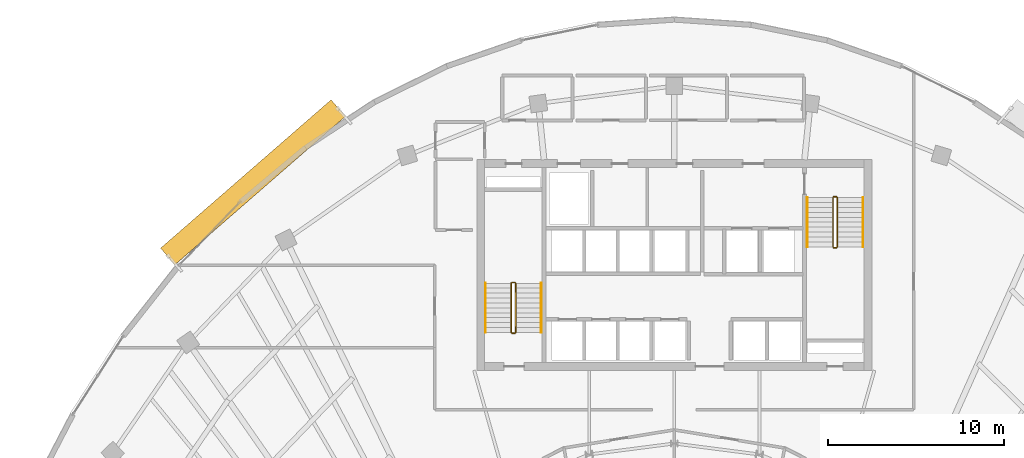
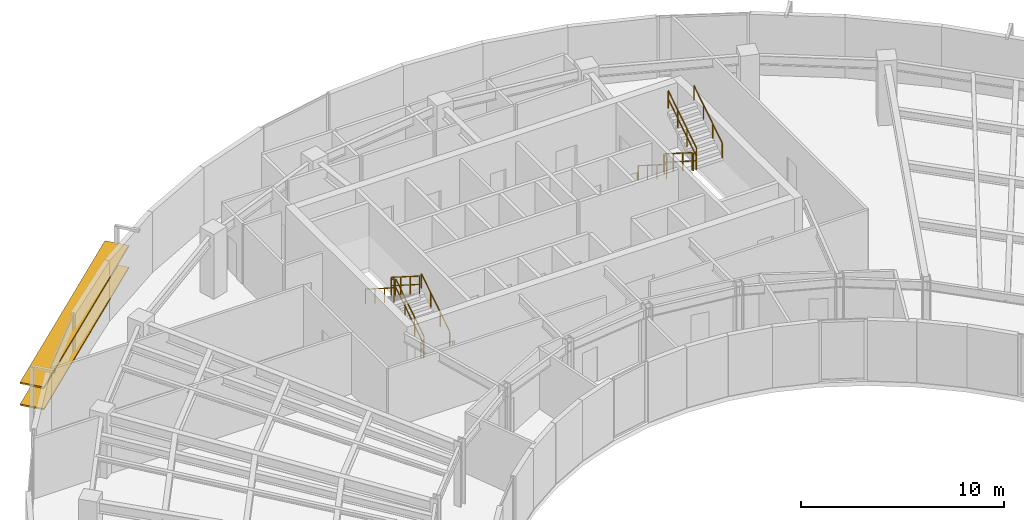
# One storey, part 12 of 13: 12 railings, 2 shading devices.
"""IFC4 building model written with IfcOpenShell, lengths in metres."""

from ifc_helpers import new_model, si_unit, direction, frame, origin, origin_2d, place, context, subcontext, project, spatial, rectangle, extrude, source, transform, mapped, material, material_profile, profile_set, type_object, element, save


model = new_model("IFC4")

# Units and contexts
model_context = context("Model", 3, precision=1e-05, world=origin(), true_north=direction((0.0, 1.0)))
body_context = subcontext(model_context, "Body", "Model", "MODEL_VIEW")
ifc_project = project(units=[si_unit("LENGTHUNIT", "METRE"), si_unit("AREAUNIT", "SQUARE_METRE"), si_unit("VOLUMEUNIT", "CUBIC_METRE"), si_unit("PLANEANGLEUNIT", "RADIAN"), si_unit("MASSUNIT", "GRAM", prefix="KILO")], contexts=[model_context])

# Site, building, storey
site_placement = place(None, origin())
site = spatial("IfcSite", under=ifc_project, at=site_placement, CompositionType="ELEMENT")
building_placement = place(site_placement, origin())
building = spatial("IfcBuilding", under=site, at=building_placement, Name="Breltana Convention Tower", CompositionType="ELEMENT")
storey_placement = place(building_placement, frame((0.0, 0.0, 204.0)))
storey = spatial("IfcBuildingStorey", under=building, at=storey_placement, Name="L49", CompositionType="ELEMENT", Elevation=204.0)

# Railings
ifc_material_1 = material(Name="Steel S275 Painted", Category="steel")
railing_type_1 = type_object("IfcRailingType", Name="RL-STAIR-GUARD-1100", PredefinedType="GUARDRAIL", material=ifc_material_1)
railing_1_placement = place(storey_placement, frame((38.9599609375, 62.360107421875, 0.17724609375)))
element("IfcRailing", 1, at=railing_1_placement, inside=storey, type_object=railing_type_1, Name="L49 ST-1 stair guard 1", PredefinedType="GUARDRAIL", context=body_context, shape_type="SweptSolid", body=[
    extrude(rectangle(XDim=0.048095703125, YDim=0.048095703125, at=origin_2d()), frame((0.0, 0.0, 1.076171875), z_axis=(0.0, 0.844887892834, 0.53494340686), x_axis=(-1.0, 0.0, 0.0)), (0.0, 0.0, 1.0), 3.313720703125),
    extrude(rectangle(XDim=0.048095703125, YDim=0.048095703125, at=origin_2d()), frame((0.0, 0.0, 0.572021484375), z_axis=(0.0, 0.844887892834, 0.53494340686), x_axis=(-1.0, 0.0, 0.0)), (0.0, 0.0, 1.0), 3.313720703125),
    extrude(rectangle(XDim=0.0419921875, YDim=0.0419921875, at=origin_2d()), origin(), (0.0, 0.0, 1.0), 1.052001953125),
    extrude(rectangle(XDim=0.0419921875, YDim=0.0419921875, at=origin_2d()), frame((0.0, 0.933349609375, 0.5908203125)), (0.0, 0.0, 1.0), 1.052001953125),
    extrude(rectangle(XDim=0.0419921875, YDim=0.0419921875, at=origin_2d()), frame((0.0, 1.866455078125, 1.181884765625)), (0.0, 0.0, 1.0), 1.052001953125),
    extrude(rectangle(XDim=0.0419921875, YDim=0.0419921875, at=origin_2d()), frame((0.0, 2.7998046875, 1.772705078125)), (0.0, 0.0, 1.0), 1.052001953125),
])
railing_2_placement = place(storey_placement, frame((38.909912109375, 65.2099609375, 1.949951171875)))
element("IfcRailing", 2, at=railing_2_placement, inside=storey, type_object=railing_type_1, Name="L49 ST-1 stair guard 2", PredefinedType="GUARDRAIL", context=body_context, shape_type="SweptSolid", body=[
    extrude(rectangle(XDim=0.048095703125, YDim=0.048095703125, at=origin_2d()), frame((0.0, 0.0, 1.076171875), z_axis=(-1.0, 0.0, 0.0), x_axis=(0.0, -1.0, 0.0)), (0.0, 0.0, 1.0), 0.14990234375),
    extrude(rectangle(XDim=0.048095703125, YDim=0.048095703125, at=origin_2d()), frame((0.0, 0.0, 0.572021484375), z_axis=(-1.0, 0.0, 0.0), x_axis=(0.0, -1.0, 0.0)), (0.0, 0.0, 1.0), 0.14990234375),
    extrude(rectangle(XDim=0.0419921875, YDim=0.0419921875, at=origin_2d()), origin(), (0.0, 0.0, 1.0), 1.052001953125),
    extrude(rectangle(XDim=0.0419921875, YDim=0.0419921875, at=origin_2d()), frame((-0.14990234375, 0.0, 0.0)), (0.0, 0.0, 1.0), 1.052001953125),
])
railing_3_placement = place(storey_placement, frame((38.7099609375, 65.159912109375, 2.127197265625)))
element("IfcRailing", 3, at=railing_3_placement, inside=storey, type_object=railing_type_1, Name="L49 ST-1 stair guard 3", PredefinedType="GUARDRAIL", context=body_context, shape_type="SweptSolid", body=[
    extrude(rectangle(XDim=0.048095703125, YDim=0.048095703125, at=origin_2d()), frame((0.0, 0.0, 1.076171875), z_axis=(0.0, -0.844887892834, 0.53494340686), x_axis=(1.0, 0.0, 0.0)), (0.0, 0.0, 1.0), 3.313720703125),
    extrude(rectangle(XDim=0.048095703125, YDim=0.048095703125, at=origin_2d()), frame((0.0, 0.0, 0.572021484375), z_axis=(0.0, -0.844887892834, 0.53494340686), x_axis=(1.0, 0.0, 0.0)), (0.0, 0.0, 1.0), 3.313720703125),
    extrude(rectangle(XDim=0.0419921875, YDim=0.0419921875, at=origin_2d()), origin(), (0.0, 0.0, 1.0), 1.052001953125),
    extrude(rectangle(XDim=0.0419921875, YDim=0.0419921875, at=origin_2d()), frame((0.0, -0.933349609375, 0.5908203125)), (0.0, 0.0, 1.0), 1.052001953125),
    extrude(rectangle(XDim=0.0419921875, YDim=0.0419921875, at=origin_2d()), frame((0.0, -1.866455078125, 1.181884765625)), (0.0, 0.0, 1.0), 1.052001953125),
    extrude(rectangle(XDim=0.0419921875, YDim=0.0419921875, at=origin_2d()), frame((0.0, -2.7998046875, 1.772705078125)), (0.0, 0.0, 1.0), 1.052001953125),
])
railing_4_placement = place(storey_placement, frame((38.909912109375, 62.31005859375, 0.0)))
element("IfcRailing", 4, at=railing_4_placement, inside=storey, type_object=railing_type_1, Name="L49 ST-1 stair guard 4", PredefinedType="GUARDRAIL", context=body_context, shape_type="SweptSolid", body=[
    extrude(rectangle(XDim=0.048095703125, YDim=0.048095703125, at=origin_2d()), frame((0.0, 0.0, 1.076171875), z_axis=(-1.0, 0.0, 0.0), x_axis=(0.0, -1.0, 0.0)), (0.0, 0.0, 1.0), 0.14990234375),
    extrude(rectangle(XDim=0.048095703125, YDim=0.048095703125, at=origin_2d()), frame((0.0, 0.0, 0.572021484375), z_axis=(-1.0, 0.0, 0.0), x_axis=(0.0, -1.0, 0.0)), (0.0, 0.0, 1.0), 0.14990234375),
    extrude(rectangle(XDim=0.0419921875, YDim=0.0419921875, at=origin_2d()), origin(), (0.0, 0.0, 1.0), 1.052001953125),
    extrude(rectangle(XDim=0.0419921875, YDim=0.0419921875, at=origin_2d()), frame((-0.14990234375, 0.0, 0.0)), (0.0, 0.0, 1.0), 1.052001953125),
])
railing_5_placement = place(storey_placement, frame((57.0400390625, 70.0400390625, 0.17724609375)))
element("IfcRailing", 5, at=railing_5_placement, inside=storey, type_object=railing_type_1, Name="L49 ST-2 stair guard 1", PredefinedType="GUARDRAIL", context=body_context, shape_type="SweptSolid", body=[
    extrude(rectangle(XDim=0.048095703125, YDim=0.048095703125, at=origin_2d()), frame((0.0, 0.0, 1.076171875), z_axis=(0.0, -0.844908973607, 0.534910110503), x_axis=(1.0, 0.0, 0.0)), (0.0, 0.0, 1.0), 3.31396484375),
    extrude(rectangle(XDim=0.048095703125, YDim=0.048095703125, at=origin_2d()), frame((0.0, 0.0, 0.572021484375), z_axis=(0.0, -0.844908973607, 0.534910110503), x_axis=(1.0, 0.0, 0.0)), (0.0, 0.0, 1.0), 3.31396484375),
    extrude(rectangle(XDim=0.0419921875, YDim=0.0419921875, at=origin_2d()), origin(), (0.0, 0.0, 1.0), 1.052001953125),
    extrude(rectangle(XDim=0.0419921875, YDim=0.0419921875, at=origin_2d()), frame((0.0, -0.933349609375, 0.5908203125)), (0.0, 0.0, 1.0), 1.052001953125),
    extrude(rectangle(XDim=0.0419921875, YDim=0.0419921875, at=origin_2d()), frame((0.0, -1.86669921875, 1.181884765625)), (0.0, 0.0, 1.0), 1.052001953125),
    extrude(rectangle(XDim=0.0419921875, YDim=0.0419921875, at=origin_2d()), frame((0.0, -2.800048828125, 1.772705078125)), (0.0, 0.0, 1.0), 1.052001953125),
])
railing_6_placement = place(storey_placement, frame((57.090087890625, 67.18994140625, 1.949951171875)))
element("IfcRailing", 6, at=railing_6_placement, inside=storey, type_object=railing_type_1, Name="L49 ST-2 stair guard 2", PredefinedType="GUARDRAIL", context=body_context, shape_type="SweptSolid", body=[
    extrude(rectangle(XDim=0.048095703125, YDim=0.048095703125, at=origin_2d()), frame((0.0, 0.0, 1.076171875), z_axis=(1.0, 0.0, 0.0), x_axis=(0.0, 1.0, 0.0)), (0.0, 0.0, 1.0), 0.14990234375),
    extrude(rectangle(XDim=0.048095703125, YDim=0.048095703125, at=origin_2d()), frame((0.0, 0.0, 0.572021484375), z_axis=(1.0, 0.0, 0.0), x_axis=(0.0, 1.0, 0.0)), (0.0, 0.0, 1.0), 0.14990234375),
    extrude(rectangle(XDim=0.0419921875, YDim=0.0419921875, at=origin_2d()), origin(), (0.0, 0.0, 1.0), 1.052001953125),
    extrude(rectangle(XDim=0.0419921875, YDim=0.0419921875, at=origin_2d()), frame((0.14990234375, 0.0, 0.0)), (0.0, 0.0, 1.0), 1.052001953125),
])
railing_7_placement = place(storey_placement, frame((57.2900390625, 67.239990234375, 2.127197265625)))
element("IfcRailing", 7, at=railing_7_placement, inside=storey, type_object=railing_type_1, Name="L49 ST-2 stair guard 3", PredefinedType="GUARDRAIL", context=body_context, shape_type="SweptSolid", body=[
    extrude(rectangle(XDim=0.048095703125, YDim=0.048095703125, at=origin_2d()), frame((0.0, 0.0, 1.076171875), z_axis=(0.0, 0.844908973607, 0.534910110503), x_axis=(-1.0, 0.0, 0.0)), (0.0, 0.0, 1.0), 3.31396484375),
    extrude(rectangle(XDim=0.048095703125, YDim=0.048095703125, at=origin_2d()), frame((0.0, 0.0, 0.572021484375), z_axis=(0.0, 0.844908973607, 0.534910110503), x_axis=(-1.0, 0.0, 0.0)), (0.0, 0.0, 1.0), 3.31396484375),
    extrude(rectangle(XDim=0.0419921875, YDim=0.0419921875, at=origin_2d()), origin(), (0.0, 0.0, 1.0), 1.052001953125),
    extrude(rectangle(XDim=0.0419921875, YDim=0.0419921875, at=origin_2d()), frame((0.0, 0.933349609375, 0.5908203125)), (0.0, 0.0, 1.0), 1.052001953125),
    extrude(rectangle(XDim=0.0419921875, YDim=0.0419921875, at=origin_2d()), frame((0.0, 1.86669921875, 1.181884765625)), (0.0, 0.0, 1.0), 1.052001953125),
    extrude(rectangle(XDim=0.0419921875, YDim=0.0419921875, at=origin_2d()), frame((0.0, 2.800048828125, 1.772705078125)), (0.0, 0.0, 1.0), 1.052001953125),
])
railing_8_placement = place(storey_placement, frame((57.090087890625, 70.090087890625, 0.0)))
element("IfcRailing", 8, at=railing_8_placement, inside=storey, type_object=railing_type_1, Name="L49 ST-2 stair guard 4", PredefinedType="GUARDRAIL", context=body_context, shape_type="SweptSolid", body=[
    extrude(rectangle(XDim=0.048095703125, YDim=0.048095703125, at=origin_2d()), frame((0.0, 0.0, 1.076171875), z_axis=(1.0, 0.0, 0.0), x_axis=(0.0, 1.0, 0.0)), (0.0, 0.0, 1.0), 0.14990234375),
    extrude(rectangle(XDim=0.048095703125, YDim=0.048095703125, at=origin_2d()), frame((0.0, 0.0, 0.572021484375), z_axis=(1.0, 0.0, 0.0), x_axis=(0.0, 1.0, 0.0)), (0.0, 0.0, 1.0), 0.14990234375),
    extrude(rectangle(XDim=0.0419921875, YDim=0.0419921875, at=origin_2d()), origin(), (0.0, 0.0, 1.0), 1.052001953125),
    extrude(rectangle(XDim=0.0419921875, YDim=0.0419921875, at=origin_2d()), frame((0.14990234375, 0.0, 0.0)), (0.0, 0.0, 1.0), 1.052001953125),
])
ifc_material_2 = material(Name="Stainless Steel 316L", Category="steel")
railing_type_2 = type_object("IfcRailingType", Name="RL-STAIR-HANDRAIL-900", PredefinedType="HANDRAIL", material=ifc_material_2)
railing_9_placement = place(storey_placement, frame((40.419921875, 62.360107421875, 0.17724609375)))
element("IfcRailing", 9, at=railing_9_placement, inside=storey, type_object=railing_type_2, Name="L49 ST-1 stair handrail 1", PredefinedType="HANDRAIL", context=body_context, shape_type="SweptSolid", body=[
    extrude(rectangle(XDim=0.048095703125, YDim=0.048095703125, at=origin_2d()), frame((0.0, 0.0, 0.8759765625), z_axis=(0.0, 0.844887892834, 0.53494340686), x_axis=(-1.0, 0.0, 0.0)), (0.0, 0.0, 1.0), 3.313720703125),
    extrude(rectangle(XDim=0.0419921875, YDim=0.0419921875, at=origin_2d()), origin(), (0.0, 0.0, 1.0), 0.851806640625),
    extrude(rectangle(XDim=0.0419921875, YDim=0.0419921875, at=origin_2d()), frame((0.0, 0.933349609375, 0.5908203125)), (0.0, 0.0, 1.0), 0.851806640625),
    extrude(rectangle(XDim=0.0419921875, YDim=0.0419921875, at=origin_2d()), frame((0.0, 1.866455078125, 1.181884765625)), (0.0, 0.0, 1.0), 0.851806640625),
    extrude(rectangle(XDim=0.0419921875, YDim=0.0419921875, at=origin_2d()), frame((0.0, 2.7998046875, 1.772705078125)), (0.0, 0.0, 1.0), 0.851806640625),
])
railing_10_placement = place(storey_placement, frame((37.25, 65.159912109375, 2.127197265625)))
element("IfcRailing", 10, at=railing_10_placement, inside=storey, type_object=railing_type_2, Name="L49 ST-1 stair handrail 2", PredefinedType="HANDRAIL", context=body_context, shape_type="SweptSolid", body=[
    extrude(rectangle(XDim=0.048095703125, YDim=0.048095703125, at=origin_2d()), frame((0.0, 0.0, 0.8759765625), z_axis=(0.0, -0.844887892834, 0.53494340686), x_axis=(1.0, 0.0, 0.0)), (0.0, 0.0, 1.0), 3.313720703125),
    extrude(rectangle(XDim=0.0419921875, YDim=0.0419921875, at=origin_2d()), origin(), (0.0, 0.0, 1.0), 0.851806640625),
    extrude(rectangle(XDim=0.0419921875, YDim=0.0419921875, at=origin_2d()), frame((0.0, -0.933349609375, 0.5908203125)), (0.0, 0.0, 1.0), 0.851806640625),
    extrude(rectangle(XDim=0.0419921875, YDim=0.0419921875, at=origin_2d()), frame((0.0, -1.866455078125, 1.181884765625)), (0.0, 0.0, 1.0), 0.851806640625),
    extrude(rectangle(XDim=0.0419921875, YDim=0.0419921875, at=origin_2d()), frame((0.0, -2.7998046875, 1.772705078125)), (0.0, 0.0, 1.0), 0.851806640625),
])
railing_11_placement = place(storey_placement, frame((55.580078125, 70.0400390625, 0.17724609375)))
element("IfcRailing", 11, at=railing_11_placement, inside=storey, type_object=railing_type_2, Name="L49 ST-2 stair handrail 1", PredefinedType="HANDRAIL", context=body_context, shape_type="SweptSolid", body=[
    extrude(rectangle(XDim=0.048095703125, YDim=0.048095703125, at=origin_2d()), frame((0.0, 0.0, 0.8759765625), z_axis=(0.0, -0.844908973607, 0.534910110503), x_axis=(1.0, 0.0, 0.0)), (0.0, 0.0, 1.0), 3.31396484375),
    extrude(rectangle(XDim=0.0419921875, YDim=0.0419921875, at=origin_2d()), origin(), (0.0, 0.0, 1.0), 0.851806640625),
    extrude(rectangle(XDim=0.0419921875, YDim=0.0419921875, at=origin_2d()), frame((0.0, -0.933349609375, 0.5908203125)), (0.0, 0.0, 1.0), 0.851806640625),
    extrude(rectangle(XDim=0.0419921875, YDim=0.0419921875, at=origin_2d()), frame((0.0, -1.86669921875, 1.181884765625)), (0.0, 0.0, 1.0), 0.851806640625),
    extrude(rectangle(XDim=0.0419921875, YDim=0.0419921875, at=origin_2d()), frame((0.0, -2.800048828125, 1.772705078125)), (0.0, 0.0, 1.0), 0.851806640625),
])
railing_12_placement = place(storey_placement, frame((58.75, 67.239990234375, 2.127197265625)))
element("IfcRailing", 12, at=railing_12_placement, inside=storey, type_object=railing_type_2, Name="L49 ST-2 stair handrail 2", PredefinedType="HANDRAIL", context=body_context, shape_type="SweptSolid", body=[
    extrude(rectangle(XDim=0.048095703125, YDim=0.048095703125, at=origin_2d()), frame((0.0, 0.0, 0.8759765625), z_axis=(0.0, 0.844908973607, 0.534910110503), x_axis=(-1.0, 0.0, 0.0)), (0.0, 0.0, 1.0), 3.31396484375),
    extrude(rectangle(XDim=0.0419921875, YDim=0.0419921875, at=origin_2d()), origin(), (0.0, 0.0, 1.0), 0.851806640625),
    extrude(rectangle(XDim=0.0419921875, YDim=0.0419921875, at=origin_2d()), frame((0.0, 0.933349609375, 0.5908203125)), (0.0, 0.0, 1.0), 0.851806640625),
    extrude(rectangle(XDim=0.0419921875, YDim=0.0419921875, at=origin_2d()), frame((0.0, 1.86669921875, 1.181884765625)), (0.0, 0.0, 1.0), 0.851806640625),
    extrude(rectangle(XDim=0.0419921875, YDim=0.0419921875, at=origin_2d()), frame((0.0, 2.800048828125, 1.772705078125)), (0.0, 0.0, 1.0), 0.851806640625),
])

# Shading devices
ifc_material_3 = material(Name="Limestone Warm Buff Honed", Category="masonry")
ifc_material_profile = material_profile(ifc_material_3, rectangle(XDim=1.25, YDim=0.090087890625, at=origin_2d()), Name="STN-LVR-1250X90")
ifc_profile_set = profile_set([ifc_material_profile], Name="Limestone Warm Buff Honed")
shading_device_type = type_object("IfcShadingDeviceType", Name="SHD-OUTER-SKIN-LIMESTONE-1250", PredefinedType="JALOUSIE", material=ifc_profile_set)
shared_shape = source(origin(), body_context, "Body", "SweptSolid", [
    extrude(rectangle(XDim=1.25, YDim=0.090087890625, at=origin_2d()), origin(), (0.0, 0.0, 1.0), 12.87255859375),
])
for number, where, z_axis, x_axis, name in (
    (13, (19.147216796875, 66.69140625, 1.310302734375), (0.754370287864, 0.656449136482, 0.0), (-0.656449136482, 0.754370287864, 0.0), "L49 outer skin warm limestone louvre 1.1"),
    (14, (19.147216796875, 66.69140625, 2.620849609375), (0.754370287864, 0.656449136482, 0.0), (-0.656449136482, 0.754370287864, 0.0), "L49 outer skin warm limestone louvre 1.2"),
):
    element("IfcShadingDevice", number, at=place(storey_placement, frame(where, z_axis=z_axis, x_axis=x_axis)), inside=storey, type_object=shading_device_type, Name=name, PredefinedType="JALOUSIE", context=body_context, shape_type="MappedRepresentation", body=[
        mapped(shared_shape, transform((0.0, 0.0, 0.0), scale=1.0)),
    ])

save(model, "model.ifc")
